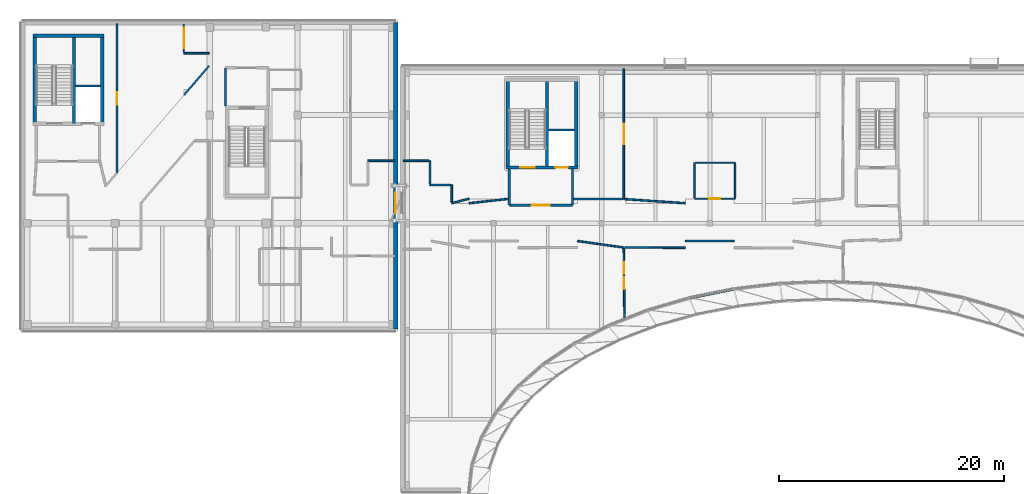
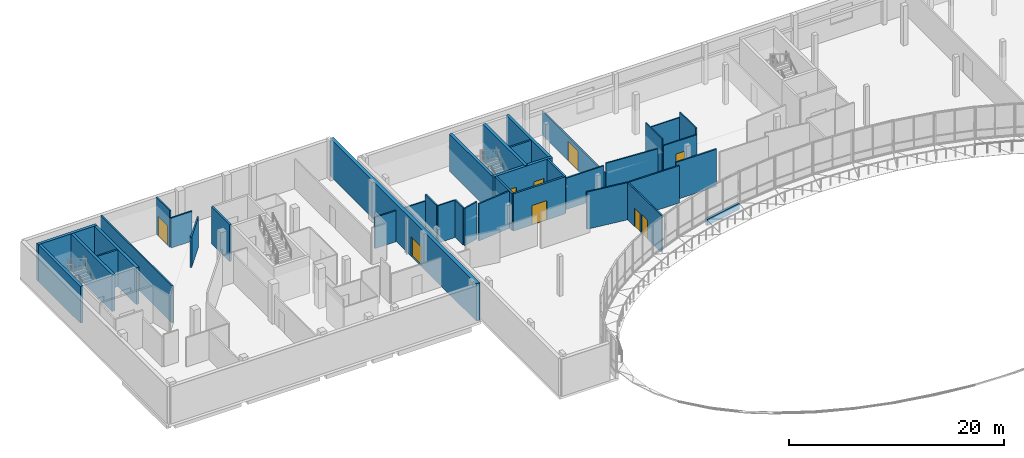
# One storey, part 26 of 41: 38 walls, 10 doors, 10 openings.
"""IFC4 building model written with IfcOpenShell, lengths in metres."""

import ifcopenshell
import ifcopenshell.guid

model = None  # the IFC model being written
_history = None  # IfcOwnerHistory: only IFC2X3 demands one
_inside = {}  # id of a spatial element -> (the spatial element, [elements in it])
_under = {}  # id of a project, library or spatial element -> (it, [spatial elements below it])
_declared = {}  # id of a project -> (the project, [libraries it declares])
_typed = {}  # id of a type object -> (the type object, [elements of that type])
_made_of = {}  # id of a material, layer set ... -> (it, [elements and type objects made of it])


def new_model(schema):
    """Start an empty IFC model of exactly this schema.

    Asked for "IFC4X3", IfcOpenShell would pick the latest addendum, in which some entities
    have other attributes; the version numbers below select the first issue.
    IFC2X3 requires an IfcOwnerHistory on every rooted entity: one is made here for all.
    """
    global model, _history
    if schema == "IFC4X3":
        model = ifcopenshell.file(schema_version=(4, 3, 0, 0))
    else:
        model = ifcopenshell.file(schema=schema)
    _inside.clear()
    _under.clear()
    _declared.clear()
    _typed.clear()
    _made_of.clear()
    _history = None
    if model.schema == "IFC2X3":
        org = make("IfcOrganization", Name="unknown")
        user = make(
            "IfcPersonAndOrganization",
            ThePerson=make("IfcPerson", FamilyName="unknown"),
            TheOrganization=org,
        )
        app = make(
            "IfcApplication",
            ApplicationDeveloper=org,
            Version="unknown",
            ApplicationFullName="unknown",
            ApplicationIdentifier="unknown",
        )
        _history = make(
            "IfcOwnerHistory",
            OwningUser=user,
            OwningApplication=app,
            ChangeAction="ADDED",
            CreationDate=0,
        )
    return model


def make(cls, **values):
    """One entity of the class cls with the attributes given. An attribute that is None is left unset."""
    return model.create_entity(
        cls, **{name: value for name, value in values.items() if value is not None}
    )


def rooted(cls, **values):
    """An entity with a GlobalId (a new one), such as an element, a storey or a relation."""
    return make(cls, GlobalId=ifcopenshell.guid.new(), OwnerHistory=_history, **values)


def si_unit(unit_type, name, prefix=None):
    """IfcSIUnit, for example si_unit("LENGTHUNIT", "METRE", prefix="MILLI")."""
    return make("IfcSIUnit", UnitType=unit_type, Prefix=prefix, Name=name)


def assignment(units):
    """IfcUnitAssignment: the units of a project."""
    return None if units is None else make("IfcUnitAssignment", Units=units)


def point(xyz):
    """IfcCartesianPoint."""
    return None if xyz is None else make("IfcCartesianPoint", Coordinates=xyz)


def direction(xyz):
    """IfcDirection."""
    return None if xyz is None else make("IfcDirection", DirectionRatios=xyz)


def frame(location, z_axis=None, x_axis=None):
    """IfcAxis2Placement3D, a coordinate frame: its origin and axes. An axis left out is left unset."""
    return make(
        "IfcAxis2Placement3D",
        Location=point(location),
        Axis=direction(z_axis),
        RefDirection=direction(x_axis),
    )


def frame_2d(location, x_axis=None):
    """IfcAxis2Placement2D, a coordinate frame in the plane: its origin and x axis."""
    return make(
        "IfcAxis2Placement2D", Location=point(location), RefDirection=direction(x_axis)
    )


def origin():
    """The frame at (0, 0, 0) with its axes left unset."""
    return frame((0.0, 0.0, 0.0))


def place(relative_to, where):
    """IfcLocalPlacement: puts the frame where relative to a parent placement (None: the world)."""
    return make(
        "IfcLocalPlacement", PlacementRelTo=relative_to, RelativePlacement=where
    )


def context(
    kind, dimensions, precision=None, world=None, true_north=None, identifier=None
):
    """IfcGeometricRepresentationContext, for example the 3D "Model" context."""
    return make(
        "IfcGeometricRepresentationContext",
        ContextIdentifier=identifier,
        ContextType=kind,
        CoordinateSpaceDimension=dimensions,
        Precision=precision,
        WorldCoordinateSystem=world,
        TrueNorth=true_north,
    )


def subcontext(parent, identifier, kind, view, scale=None):
    """IfcGeometricRepresentationSubContext, for example "Body" below "Model"."""
    return make(
        "IfcGeometricRepresentationSubContext",
        ContextIdentifier=identifier,
        ContextType=kind,
        ParentContext=parent,
        TargetScale=scale,
        TargetView=view,
    )


def project(units=None, contexts=None):
    """IfcProject with its units and contexts."""
    return rooted(
        "IfcProject",
        Name="project",
        RepresentationContexts=contexts,
        UnitsInContext=assignment(units),
    )


def spatial(cls, under=None, at=None, **own):
    """A site, building, storey or space (cls), placed at a placement, below another one or the project."""
    s = rooted(cls, ObjectPlacement=at, **own)
    if under is not None:
        _under.setdefault(under.id(), (under, []))[1].append(s)
    return s


def profile(cls, at=None, kind="AREA", **sizes):
    """A parametric profile (cls). Its sizes go by their IFC names, for example OverallWidth=200.0."""
    return make(cls, ProfileType=kind, Position=at, **sizes)


def rectangle(**sizes):
    """IfcRectangleProfileDef."""
    return profile("IfcRectangleProfileDef", **sizes)


def extrude(swept, where, along, depth):
    """IfcExtrudedAreaSolid: the profile swept, set in the frame where, extruded along a direction by depth."""
    return make(
        "IfcExtrudedAreaSolid",
        SweptArea=swept,
        Position=where,
        ExtrudedDirection=direction(along),
        Depth=depth,
    )


def shape(context_of_items, identifier, shape_type, items):
    """IfcShapeRepresentation: the items that make up one representation, for example the "Body"."""
    return make(
        "IfcShapeRepresentation",
        ContextOfItems=context_of_items,
        RepresentationIdentifier=identifier,
        RepresentationType=shape_type,
        Items=items,
    )


def material(Name=None, Category=None):
    """IfcMaterial."""
    return make("IfcMaterial", Name=Name, Category=Category)


def layer(
    of_material, thickness, ventilated=None, Name=None, Category=None, Priority=None
):
    """IfcMaterialLayer: one layer of a wall or slab, of a material (None: an air gap)."""
    return make(
        "IfcMaterialLayer",
        Material=of_material,
        LayerThickness=thickness,
        IsVentilated=ventilated,
        Name=Name,
        Category=Category,
        Priority=Priority,
    )


def layer_set(layers, Name=None):
    """IfcMaterialLayerSet."""
    return make("IfcMaterialLayerSet", MaterialLayers=layers, LayerSetName=Name)


def made_of(thing, what):
    """Note that an element or type object is made of a material, layer set ...; save() writes the relation."""
    if what is not None:
        _made_of.setdefault(what.id(), (what, []))[1].append(thing)
    return thing


def type_object(cls, material=None, **own):
    """A type object (cls), such as IfcWallType, which elements share."""
    return made_of(rooted(cls, **own), material)


def element(
    cls,
    number,
    at=None,
    inside=None,
    cuts=None,
    type_object=None,
    material=None,
    context=None,
    identifier="Body",
    shape_type=None,
    held_by="IfcProductDefinitionShape",
    body=None,
    shapes=None,
    **own,
):
    """One element of the class cls, such as IfcWall. Its Tag is "e" and its number.

    at: its placement. inside: the storey or other place that contains it. cuts: it is an
    opening in that element (IfcRelVoidsElement). A single representation is given by context,
    identifier, shape_type and body (its items); several are given by shapes. held_by: the class
    of the entity that holds the representations. save() writes the other relations.
    """
    e = rooted(cls, Tag="e%d" % number, ObjectPlacement=at, **own)
    if body is not None:
        shapes = [shape(context, identifier, shape_type, body)]
    if shapes is not None:
        e.Representation = make(held_by, Representations=shapes)
    if inside is not None:
        _inside.setdefault(inside.id(), (inside, []))[1].append(e)
    if cuts is not None:
        rooted(
            "IfcRelVoidsElement", RelatingBuildingElement=cuts, RelatedOpeningElement=e
        )
    if type_object is not None:
        _typed.setdefault(type_object.id(), (type_object, []))[1].append(e)
    return made_of(e, material)


def fill(opening, filler):
    """IfcRelFillsElement: the door or window that sits in an opening."""
    return rooted(
        "IfcRelFillsElement",
        RelatingOpeningElement=opening,
        RelatedBuildingElement=filler,
    )


def aggregate(whole, parts):
    """IfcRelAggregates: a whole, such as a stair, and the parts it consists of."""
    return rooted("IfcRelAggregates", RelatingObject=whole, RelatedObjects=parts)


def save(model, path):
    """Write the relations noted so far, then the file.

    IfcRelAggregates (storeys below a building ...), IfcRelContainedInSpatialStructure (elements
    in a storey), IfcRelDefinesByType, IfcRelAssociatesMaterial and IfcRelDeclares: one each for
    every whole, place, type object, material and project.
    """
    for whole, parts in _under.values():
        aggregate(whole, parts)
    for where, things in _inside.values():
        rooted(
            "IfcRelContainedInSpatialStructure",
            RelatedElements=things,
            RelatingStructure=where,
        )
    for kind, things in _typed.values():
        rooted("IfcRelDefinesByType", RelatedObjects=things, RelatingType=kind)
    for what, things in _made_of.values():
        rooted("IfcRelAssociatesMaterial", RelatedObjects=things, RelatingMaterial=what)
    for by, libraries in _declared.values():
        rooted("IfcRelDeclares", RelatingContext=by, RelatedDefinitions=libraries)
    model.write(path)


model = new_model("IFC4")

# Units and contexts
model_context = context("Model", 3, precision=1e-05, world=origin(), true_north=direction((0.0, 1.0)))
body_context = subcontext(model_context, "Body", "Model", "MODEL_VIEW")
ifc_project = project(units=[si_unit("LENGTHUNIT", "METRE"), si_unit("AREAUNIT", "SQUARE_METRE"), si_unit("VOLUMEUNIT", "CUBIC_METRE"), si_unit("PLANEANGLEUNIT", "RADIAN"), si_unit("MASSUNIT", "GRAM", prefix="KILO")], contexts=[model_context])

# Site, building, storey
site_placement = place(None, origin())
site = spatial("IfcSite", under=ifc_project, at=site_placement, CompositionType="ELEMENT")
building_placement = place(site_placement, origin())
building = spatial("IfcBuilding", under=site, at=building_placement, Name="Mzevani Central Library", CompositionType="ELEMENT")
storey_placement = place(building_placement, frame((0.0, 0.0, 13.800048828125)))
storey = spatial("IfcBuildingStorey", under=building, at=storey_placement, Name="L03", CompositionType="ELEMENT", Elevation=13.800048828125)

# Walls
ifc_material_1 = material(Name="Concrete C35/45", Category="concrete")
ifc_layer_1 = layer(ifc_material_1, 0.199951171875, Name="Compartment Wall 200")
ifc_layer_set_1 = layer_set([ifc_layer_1], Name="Concrete C35/45")
wall_type_1 = type_object("IfcWallType", Name="Compartment Wall 200", PredefinedType="STANDARD", material=ifc_layer_set_1)
wall_1_placement = place(storey_placement, frame((30.60009765625, 110.39990234375, 0.0), z_axis=(0.0, 0.0, 1.0), x_axis=(0.0, 1.0, 0.0)))
element("IfcWall", 1, at=wall_1_placement, inside=storey, type_object=wall_type_1, Name="L03 Stair Vestibule C2B Enclosure Wall 1", PredefinedType="STANDARD", context=body_context, shape_type="SweptSolid", body=[
    extrude(rectangle(XDim=3.400146484375, YDim=0.199951171875, at=frame_2d((1.7001953125, 0.0))), origin(), (0.0, 0.0, 1.0), 4.179931640625),
])
wall_2_placement = place(storey_placement, frame((55.800048828125, 104.800048828125, 0.0), z_axis=(0.0, 0.0, 1.0), x_axis=(0.0, -1.0, 0.0)))
element("IfcWall", 2, at=wall_2_placement, inside=storey, type_object=wall_type_1, Name="L03 Firefighting Stair and Lift Lobby C3A Enclosure Wall 1", PredefinedType="STANDARD", context=body_context, shape_type="SweptSolid", body=[
    extrude(rectangle(XDim=3.199951171875, YDim=0.199951171875, at=frame_2d((1.60009765625, 0.0))), origin(), (0.0, 0.0, 1.0), 4.219970703125),
])

# Wall, opening, door
wall_3_placement = place(storey_placement, frame((55.800048828125, 101.60009765625, 0.0), z_axis=(0.0, 0.0, 1.0), x_axis=(1.0, 0.0, 0.0)))
wall_3 = element("IfcWall", 3, at=wall_3_placement, inside=storey, type_object=wall_type_1, Name="L03 Firefighting Stair and Lift Lobby C3A Enclosure Wall 2", PredefinedType="STANDARD", context=body_context, shape_type="SweptSolid", body=[
    extrude(rectangle(XDim=5.599853515625, YDim=0.199951171875, at=frame_2d((2.7998046875, 0.0))), origin(), (0.0, 0.0, 1.0), 4.219970703125),
])
opening_1_placement = place(wall_3_placement, frame((2.0, 0.0, 0.0)))
opening_1 = element("IfcOpeningElement", 4, at=opening_1_placement, cuts=wall_3, Name="Opening FD-02", PredefinedType="OPENING", context=body_context, shape_type="SweptSolid", body=[
    extrude(rectangle(XDim=1.60009765625, YDim=2.199951171875, at=frame_2d((0.800048828125, 1.10009765625))), frame((0.0, 0.10986328125, 0.0), z_axis=(0.0, -1.0, 0.0), x_axis=(1.0, 0.0, 0.0)), (0.0, 0.0, 1.0), 0.219970703125),
])
ifc_material_2 = material(Name="Fire-rated steel door assembly", Category="steel")
door_type_1 = type_object("IfcDoorType", Name="Fire Lobby Double Door 1600x2200", OperationType="NOTDEFINED", PredefinedType="DOOR", material=ifc_material_2)
door_1_placement = place(opening_1_placement, origin())
door_1 = element("IfcDoor", 5, at=door_1_placement, inside=storey, type_object=door_type_1, Name="L03 Firefighting Stair and Lift Lobby C3A Smoke-Control Door", OperationType="DOUBLE_DOOR_SINGLE_SWING", OverallHeight=2.199951171875, OverallWidth=1.60009765625, PredefinedType="DOOR", context=body_context, shape_type="SweptSolid", body=[
    extrude(rectangle(XDim=1.60009765625, YDim=2.199951171875, at=frame_2d((0.800048828125, 1.10009765625))), frame((0.0, 0.02490234375, 0.0), z_axis=(0.0, -1.0, 0.0), x_axis=(1.0, 0.0, 0.0)), (0.0, 0.0, 1.0), 0.050048828125),
])
fill(opening_1, door_1)

# Walls
wall_4_placement = place(storey_placement, frame((61.39990234375, 101.60009765625, 0.0), z_axis=(0.0, 0.0, 1.0), x_axis=(0.0, 1.0, 0.0)))
element("IfcWall", 6, at=wall_4_placement, inside=storey, type_object=wall_type_1, Name="L03 Firefighting Stair and Lift Lobby C3A Enclosure Wall 3", PredefinedType="STANDARD", context=body_context, shape_type="SweptSolid", body=[
    extrude(rectangle(XDim=3.199951171875, YDim=0.199951171875, at=frame_2d((1.60009765625, 0.0))), origin(), (0.0, 0.0, 1.0), 4.219970703125),
])
ifc_material_3 = material(Name="Concrete C40/50", Category="concrete")
ifc_layer_2 = layer(ifc_material_3, 0.300048828125, Name="Core Shear Wall 300")
ifc_layer_set_2 = layer_set([ifc_layer_2], Name="Concrete C40/50")
wall_type_2 = type_object("IfcWallType", Name="Core Shear Wall 300", PredefinedType="SHEAR", material=ifc_layer_set_2)
wall_5_placement = place(storey_placement, frame((13.64990234375, 108.699951171875, 0.0), z_axis=(0.0, 0.0, 1.0), x_axis=(0.0, 1.0, 0.0)))
element("IfcWall", 7, at=wall_5_placement, inside=storey, type_object=wall_type_2, Name="L03 Core C2A North-West Firefighting Core Shear Wall (-x)", PredefinedType="SHEAR", context=body_context, shape_type="SweptSolid", body=[
    extrude(rectangle(XDim=8.10009765625, YDim=0.300048828125, at=frame_2d((4.050048828125, 0.0))), origin(), (0.0, 0.0, 1.0), 4.179931640625),
])
wall_6_placement = place(storey_placement, frame((13.5, 116.64990234375, 0.0), z_axis=(0.0, 0.0, 1.0), x_axis=(1.0, 0.0, 0.0)))
element("IfcWall", 8, at=wall_6_placement, inside=storey, type_object=wall_type_2, Name="L03 Core C2A North-West Firefighting Core Shear Wall (+y)", PredefinedType="SHEAR", context=body_context, shape_type="SweptSolid", body=[
    extrude(rectangle(XDim=6.300048828125, YDim=0.300048828125, at=frame_2d((3.14990234375, 0.0))), origin(), (0.0, 0.0, 1.0), 4.179931640625),
])
wall_7_placement = place(storey_placement, frame((19.64990234375, 116.800048828125, 0.0), z_axis=(0.0, 0.0, 1.0), x_axis=(0.0, -1.0, 0.0)))
element("IfcWall", 9, at=wall_7_placement, inside=storey, type_object=wall_type_2, Name="L03 Core C2A North-West Firefighting Core Shear Wall (+x)", PredefinedType="SHEAR", context=body_context, shape_type="SweptSolid", body=[
    extrude(rectangle(XDim=8.10009765625, YDim=0.300048828125, at=frame_2d((4.050048828125, 0.0))), origin(), (0.0, 0.0, 1.0), 4.179931640625),
])
wall_8_placement = place(storey_placement, frame((17.14990234375, 108.85009765625, 0.0), z_axis=(0.0, 0.0, 1.0), x_axis=(0.0, 1.0, 0.0)))
element("IfcWall", 10, at=wall_8_placement, inside=storey, type_object=wall_type_2, Name="L03 Core C2A North-West Firefighting Core Hoistway Shear Wall", PredefinedType="SHEAR", context=body_context, shape_type="SweptSolid", body=[
    extrude(rectangle(XDim=7.7998046875, YDim=0.300048828125, at=frame_2d((3.89990234375, 0.0))), origin(), (0.0, 0.0, 1.0), 4.179931640625),
])

# Wall, openings, doors
wall_9_placement = place(storey_placement, frame((61.89990234375, 104.949951171875, 0.0), z_axis=(0.0, 0.0, 1.0), x_axis=(-1.0, 0.0, 0.0)))
wall_9 = element("IfcWall", 11, at=wall_9_placement, inside=storey, type_object=wall_type_2, Name="L03 Core C3A North-East Firefighting Core Shear Wall (-y)", PredefinedType="SHEAR", context=body_context, shape_type="SweptSolid", body=[
    extrude(rectangle(XDim=6.39990234375, YDim=0.300048828125, at=frame_2d((3.199951171875, 0.0))), origin(), (0.0, 0.0, 1.0), 4.219970703125),
])
opening_2_placement = place(wall_9_placement, frame((3.85009765625, 0.0, 0.0)))
opening_2 = element("IfcOpeningElement", 12, at=opening_2_placement, cuts=wall_9, Name="Opening FD-01", PredefinedType="OPENING", context=body_context, shape_type="SweptSolid", body=[
    extrude(rectangle(XDim=1.300048828125, YDim=2.199951171875, at=frame_2d((0.64990234375, 1.10009765625))), frame((0.0, 0.16015625, 0.0), z_axis=(0.0, -1.0, 0.0), x_axis=(1.0, 0.0, 0.0)), (0.0, 0.0, 1.0), 0.320068359375),
])
opening_3_placement = place(wall_9_placement, frame((0.89990234375, 0.0, 0.0)))
opening_3 = element("IfcOpeningElement", 13, at=opening_3_placement, cuts=wall_9, Name="Opening LD-02", PredefinedType="OPENING", context=body_context, shape_type="SweptSolid", body=[
    extrude(rectangle(XDim=1.10009765625, YDim=2.14990234375, at=frame_2d((0.550048828125, 1.074951171875))), frame((0.0, 0.16015625, 0.0), z_axis=(0.0, -1.0, 0.0), x_axis=(1.0, 0.0, 0.0)), (0.0, 0.0, 1.0), 0.320068359375),
])
door_type_2 = type_object("IfcDoorType", Name="Fire Stair Door 1300x2200", OperationType="NOTDEFINED", PredefinedType="DOOR", material=ifc_material_2)
door_2_placement = place(opening_2_placement, origin())
door_2 = element("IfcDoor", 14, at=door_2_placement, inside=storey, type_object=door_type_2, Name="L03 ST-05 Protected Exit Stair Door", OperationType="SINGLE_SWING_RIGHT", OverallHeight=2.199951171875, OverallWidth=1.300048828125, PredefinedType="DOOR", context=body_context, shape_type="SweptSolid", body=[
    extrude(rectangle(XDim=1.300048828125, YDim=2.199951171875, at=frame_2d((0.64990234375, 1.10009765625))), frame((0.0, 0.02490234375, 0.0), z_axis=(0.0, -1.0, 0.0), x_axis=(1.0, 0.0, 0.0)), (0.0, 0.0, 1.0), 0.050048828125),
])
fill(opening_2, door_2)
ifc_material_4 = material(Name="Brushed stainless steel door", Category="steel")
door_type_3 = type_object("IfcDoorType", Name="Firefighting Lift Landing Door 1100x2150", OperationType="NOTDEFINED", PredefinedType="DOOR", material=ifc_material_4)
door_3_placement = place(opening_3_placement, origin())
door_3 = element("IfcDoor", 15, at=door_3_placement, inside=storey, type_object=door_type_3, Name="L03 Lift LF-FF2 Sliding Landing Door", OperationType="SLIDING_TO_LEFT", OverallHeight=2.14990234375, OverallWidth=1.10009765625, PredefinedType="DOOR", context=body_context, shape_type="SweptSolid", body=[
    extrude(rectangle(XDim=1.10009765625, YDim=2.14990234375, at=frame_2d((0.550048828125, 1.074951171875))), frame((0.0, 0.02490234375, 0.0), z_axis=(0.0, -1.0, 0.0), x_axis=(1.0, 0.0, 0.0)), (0.0, 0.0, 1.0), 0.050048828125),
])
fill(opening_3, door_3)

# Walls
for number, where, z_axis, x_axis, name in (
    (16, (55.64990234375, 104.800048828125, 0.0), (0.0, 0.0, 1.0), (0.0, 1.0, 0.0), "L03 Core C3A North-East Firefighting Core Shear Wall (-x)"),
    (17, (61.75, 112.89990234375, 0.0), (0.0, 0.0, 1.0), (0.0, -1.0, 0.0), "L03 Core C3A North-East Firefighting Core Shear Wall (+x)"),
):
    element("IfcWall", number, at=place(storey_placement, frame(where, z_axis=z_axis, x_axis=x_axis)), inside=storey, type_object=wall_type_2, Name=name, PredefinedType="SHEAR", context=body_context, shape_type="SweptSolid", body=[
        extrude(rectangle(XDim=8.099853515625, YDim=0.300048828125, at=frame_2d((4.0498046875, 0.0))), origin(), (0.0, 0.0, 1.0), 4.219970703125),
    ])
wall_10_placement = place(storey_placement, frame((59.14990234375, 104.949951171875, 0.0), z_axis=(0.0, 0.0, 1.0), x_axis=(0.0, 1.0, 0.0)))
element("IfcWall", 18, at=wall_10_placement, inside=storey, type_object=wall_type_2, Name="L03 Core C3A North-East Firefighting Core Hoistway Shear Wall", PredefinedType="SHEAR", context=body_context, shape_type="SweptSolid", body=[
    extrude(rectangle(XDim=7.800048828125, YDim=0.300048828125, at=frame_2d((3.89990234375, 0.0))), origin(), (0.0, 0.0, 1.0), 4.219970703125),
])
ifc_material_5 = material(Name="Precast concrete C40/50", Category="concrete")
ifc_layer_3 = layer(ifc_material_5, 0.280029296875, Name="Court Spandrel Wall 280")
ifc_layer_set_3 = layer_set([ifc_layer_3], Name="Precast concrete C40/50")
wall_type_3 = type_object("IfcWallType", Name="Court Spandrel Wall 280", PredefinedType="STANDARD", material=ifc_layer_set_3)
wall_11_placement = place(storey_placement, frame((75.71142578125, 94.168701171875, 0.0), z_axis=(0.0, 0.0, 1.0), x_axis=(-0.980585380352, -0.196092610367, 0.0)))
element("IfcWall", 19, at=wall_11_placement, inside=storey, type_object=wall_type_3, Name="L03 Elliptical Court Spandrel 15", PredefinedType="STANDARD", context=body_context, shape_type="SweptSolid", body=[
    extrude(rectangle(XDim=3.991455078125, YDim=0.280029296875, at=frame_2d((1.99560546875, 0.0))), origin(), (0.0, 0.0, 1.0), 0.719970703125),
])

# Wall, opening, door
ifc_layer_4 = layer(ifc_material_5, 0.3798828125, Name="Exterior Thermal Concrete Wall 380")
ifc_layer_set_4 = layer_set([ifc_layer_4], Name="Precast concrete C40/50")
wall_type_4 = type_object("IfcWallType", Name="Exterior Thermal Concrete Wall 380", PredefinedType="STANDARD", material=ifc_layer_set_4)
wall_12_placement = place(storey_placement, frame((45.7099609375, 117.81005859375, 0.0), z_axis=(0.0, 0.0, 1.0), x_axis=(0.0, -1.0, 0.0)))
wall_12 = element("IfcWall", 20, at=wall_12_placement, inside=storey, type_object=wall_type_4, Name="L03 V2 Exterior Thermal Wall (31)", PredefinedType="STANDARD", context=body_context, shape_type="SweptSolid", body=[
    extrude(rectangle(XDim=27.219970703125, YDim=0.3798828125, at=frame_2d((13.60986328125, 0.0))), origin(), (0.0, 0.0, 1.0), 4.239990234375),
])
opening_4_placement = place(wall_12_placement, frame((15.110107421875, 0.0, 0.0)))
opening_4 = element("IfcOpeningElement", 21, at=opening_4_placement, cuts=wall_12, Name="Opening FD-06", PredefinedType="OPENING", context=body_context, shape_type="SweptSolid", body=[
    extrude(rectangle(XDim=1.800048828125, YDim=2.199951171875, at=frame_2d((0.89990234375, 1.10009765625))), frame((0.0, 0.199951171875, 0.0), z_axis=(0.0, -1.0, 0.0), x_axis=(1.0, 0.0, 0.0)), (0.0, 0.0, 1.0), 0.39990234375),
])
door_type_4 = type_object("IfcDoorType", Name="Fire Corridor Double Door 1800x2200", OperationType="NOTDEFINED", PredefinedType="DOOR", material=ifc_material_2)
door_4_placement = place(opening_4_placement, origin())
door_4 = element("IfcDoor", 22, at=door_4_placement, inside=storey, type_object=door_type_4, Name="L03 Stacks-Court Seismic Passage L03 Fire Portal Door (V2)", OperationType="DOUBLE_DOOR_SINGLE_SWING", OverallHeight=2.199951171875, OverallWidth=1.800048828125, PredefinedType="DOOR", context=body_context, shape_type="SweptSolid", body=[
    extrude(rectangle(XDim=1.800048828125, YDim=2.199951171875, at=frame_2d((0.89990234375, 1.10009765625))), frame((0.0, 0.02490234375, 0.0), z_axis=(0.0, -1.0, 0.0), x_axis=(1.0, 0.0, 0.0)), (0.0, 0.0, 1.0), 0.050048828125),
])
fill(opening_4, door_4)

ifc_material_6 = material(Name="Fire-rated gypsum board", Category="gypsum")
ifc_layer_5 = layer(ifc_material_6, 0.1201171875, Name="Partition Acoustic 120")
ifc_layer_set_5 = layer_set([ifc_layer_5], Name="Fire-rated gypsum board")
wall_type_5 = type_object("IfcWallType", Name="Partition Acoustic 120", PredefinedType="PARTITIONING", material=ifc_layer_set_5)
wall_13_placement = place(storey_placement, frame((75.85009765625, 102.175048828125, 0.0), z_axis=(0.0, 0.0, 1.0), x_axis=(-1.0, 0.0, 0.0)))
wall_13 = element("IfcWall", 23, at=wall_13_placement, inside=storey, type_object=wall_type_5, Name="L03 V3 Partition IW-02 (513)", PredefinedType="PARTITIONING", context=body_context, shape_type="SweptSolid", body=[
    extrude(rectangle(XDim=3.60009765625, YDim=0.1201171875, at=frame_2d((1.800048828125, 0.0))), origin(), (0.0, 0.0, 1.0), 3.550048828125),
])
opening_5_placement = place(wall_13_placement, frame((1.324951171875, 0.0, 0.0)))
opening_5 = element("IfcOpeningElement", 24, at=opening_5_placement, cuts=wall_13, Name="Opening ID-02", PredefinedType="OPENING", context=body_context, shape_type="SweptSolid", body=[
    extrude(rectangle(XDim=0.949951171875, YDim=2.14990234375, at=frame_2d((0.47509765625, 1.074951171875))), frame((0.0, 0.070068359375, 0.0), z_axis=(0.0, -1.0, 0.0), x_axis=(1.0, 0.0, 0.0)), (0.0, 0.0, 1.0), 0.14013671875),
])
ifc_material_7 = material(Name="Fire-rated solid oak leaf")
door_type_5 = type_object("IfcDoorType", Name="Accessible WC Door 950x2150", OperationType="NOTDEFINED", PredefinedType="DOOR", material=ifc_material_7)
door_5_placement = place(opening_5_placement, origin())
door_5 = element("IfcDoor", 25, at=door_5_placement, inside=storey, type_object=door_type_5, Name="L03 Accessible WC and Public Toilet V3 Door", OperationType="SINGLE_SWING_LEFT", OverallHeight=2.14990234375, OverallWidth=0.949951171875, PredefinedType="DOOR", context=body_context, shape_type="SweptSolid", body=[
    extrude(rectangle(XDim=0.949951171875, YDim=2.14990234375, at=frame_2d((0.47509765625, 1.074951171875))), frame((0.0, 0.02490234375, 0.0), z_axis=(0.0, -1.0, 0.0), x_axis=(1.0, 0.0, 0.0)), (0.0, 0.0, 1.0), 0.050048828125),
])
fill(opening_5, door_5)

# Walls
wall_14_placement = place(storey_placement, frame((72.25, 102.27490234375, 0.0), z_axis=(0.0, 0.0, 1.0), x_axis=(0.0, 1.0, 0.0)))
element("IfcWall", 26, at=wall_14_placement, inside=storey, type_object=wall_type_5, Name="L03 V3 Partition IW-02 (514)", PredefinedType="PARTITIONING", context=body_context, shape_type="SweptSolid", body=[
    extrude(rectangle(XDim=3.10009765625, YDim=0.1201171875, at=frame_2d((1.550048828125, 0.0))), origin(), (0.0, 0.0, 1.0), 4.219970703125),
])
wall_15_placement = place(storey_placement, frame((72.35009765625, 105.375, 0.0), z_axis=(0.0, 0.0, 1.0), x_axis=(1.0, 0.0, 0.0)))
element("IfcWall", 27, at=wall_15_placement, inside=storey, type_object=wall_type_5, Name="L03 V3 Partition IW-02 (515)", PredefinedType="PARTITIONING", context=body_context, shape_type="SweptSolid", body=[
    extrude(rectangle(XDim=3.5, YDim=0.1201171875, at=frame_2d((1.75, 0.0))), origin(), (0.0, 0.0, 1.0), 3.550048828125),
])
wall_16_placement = place(storey_placement, frame((75.85009765625, 105.27490234375, 0.0), z_axis=(0.0, 0.0, 1.0), x_axis=(0.0, -1.0, 0.0)))
element("IfcWall", 28, at=wall_16_placement, inside=storey, type_object=wall_type_5, Name="L03 V3 Partition IW-02 (516)", PredefinedType="PARTITIONING", context=body_context, shape_type="SweptSolid", body=[
    extrude(rectangle(XDim=3.0, YDim=0.1201171875, at=frame_2d((1.5, 0.0))), origin(), (0.0, 0.0, 1.0), 4.219970703125),
])

# Wall, opening, door
ifc_layer_6 = layer(ifc_material_6, 0.14990234375, Name="Partition Study 150")
ifc_layer_set_6 = layer_set([ifc_layer_6], Name="Fire-rated gypsum board")
wall_type_6 = type_object("IfcWallType", Name="Partition Study 150", PredefinedType="PARTITIONING", material=ifc_layer_set_6)
wall_17_placement = place(storey_placement, frame((20.965087890625, 117.7099609375, 0.0), z_axis=(0.0, 0.0, 1.0), x_axis=(0.0, -1.0, 0.0)))
wall_17 = element("IfcWall", 29, at=wall_17_placement, inside=storey, type_object=wall_type_6, Name="L03 V2 Partition IW-03 (488)", PredefinedType="PARTITIONING", context=body_context, shape_type="SweptSolid", body=[
    extrude(rectangle(XDim=13.2353515625, YDim=0.14990234375, at=frame_2d((6.61767578125, 0.0))), origin(), (0.0, 0.0, 1.0), 4.179931640625),
])
opening_6_placement = place(wall_17_placement, frame((6.067626953125, 0.0, 0.0)))
opening_6 = element("IfcOpeningElement", 30, at=opening_6_placement, cuts=wall_17, Name="Opening FD-04", PredefinedType="OPENING", context=body_context, shape_type="SweptSolid", body=[
    extrude(rectangle(XDim=1.10009765625, YDim=2.14990234375, at=frame_2d((0.550048828125, 1.074951171875))), frame((0.0, 0.0849609375, 0.0), z_axis=(0.0, -1.0, 0.0), x_axis=(1.0, 0.0, 0.0)), (0.0, 0.0, 1.0), 0.169921875),
])
door_type_6 = type_object("IfcDoorType", Name="Fire Compartment Door 1100x2150", OperationType="NOTDEFINED", PredefinedType="DOOR", material=ifc_material_2)
door_6_placement = place(opening_6_placement, origin())
door_6 = element("IfcDoor", 31, at=door_6_placement, inside=storey, type_object=door_type_6, Name="L03 Mobile Compact Shelving Hall L03 West Door", OperationType="SINGLE_SWING_RIGHT", OverallHeight=2.14990234375, OverallWidth=1.10009765625, PredefinedType="DOOR", context=body_context, shape_type="SweptSolid", body=[
    extrude(rectangle(XDim=1.10009765625, YDim=2.14990234375, at=frame_2d((0.550048828125, 1.074951171875))), frame((0.0, 0.02490234375, 0.0), z_axis=(0.0, -1.0, 0.0), x_axis=(1.0, 0.0, 0.0)), (0.0, 0.0, 1.0), 0.050048828125),
])
fill(opening_6, door_6)

# Walls
wall_18_placement = place(storey_placement, frame((26.89990234375, 115.10009765625, 0.0), z_axis=(0.0, 0.0, 1.0), x_axis=(1.0, 0.0, 0.0)))
element("IfcWall", 32, at=wall_18_placement, inside=storey, type_object=wall_type_6, Name="L03 V2 Partition IW-03 (495)", PredefinedType="PARTITIONING", context=body_context, shape_type="SweptSolid", body=[
    extrude(rectangle(XDim=2.25, YDim=0.14990234375, at=frame_2d((1.125, 0.0))), origin(), (0.0, 0.0, 1.0), 3.409912109375),
])
wall_19_placement = place(storey_placement, frame((29.14990234375, 113.9833984375, 0.0), z_axis=(0.0, 0.0, 1.0), x_axis=(-0.652340430993, -0.757926092764, 0.0)))
element("IfcWall", 33, at=wall_19_placement, inside=storey, type_object=wall_type_6, Name="L03 V2 Partition IW-03 (496)", PredefinedType="PARTITIONING", context=body_context, shape_type="SweptSolid", body=[
    extrude(rectangle(XDim=3.41064453125, YDim=0.14990234375, at=frame_2d((1.705322265625, 0.0))), origin(), (0.0, 0.0, 1.0), 3.409912109375),
])

# Wall, opening, door
wall_20_placement = place(storey_placement, frame((26.89990234375, 117.7099609375, 0.0), z_axis=(0.0, 0.0, 1.0), x_axis=(0.0, -1.0, 0.0)))
wall_20 = element("IfcWall", 34, at=wall_20_placement, inside=storey, type_object=wall_type_6, Name="L03 V2 Partition IW-03 (497)", PredefinedType="PARTITIONING", context=body_context, shape_type="SweptSolid", body=[
    extrude(rectangle(XDim=2.510009765625, YDim=0.14990234375, at=frame_2d((1.2548828125, 0.0))), origin(), (0.0, 0.0, 1.0), 4.179931640625),
])
opening_7_placement = place(wall_20_placement, frame((0.35498046875, 0.0, 0.0)))
opening_7 = element("IfcOpeningElement", 35, at=opening_7_placement, cuts=wall_20, Name="Opening FD-06", PredefinedType="OPENING", context=body_context, shape_type="SweptSolid", body=[
    extrude(rectangle(XDim=1.800048828125, YDim=2.199951171875, at=frame_2d((0.89990234375, 1.10009765625))), frame((0.0, 0.0849609375, 0.0), z_axis=(0.0, -1.0, 0.0), x_axis=(1.0, 0.0, 0.0)), (0.0, 0.0, 1.0), 0.169921875),
])
door_7_placement = place(opening_7_placement, origin())
door_7 = element("IfcDoor", 36, at=door_7_placement, inside=storey, type_object=door_type_4, Name="L03 Oriental and Caucasian Manuscripts Study Door", OperationType="DOUBLE_DOOR_SINGLE_SWING", OverallHeight=2.199951171875, OverallWidth=1.800048828125, PredefinedType="DOOR", context=body_context, shape_type="SweptSolid", body=[
    extrude(rectangle(XDim=1.800048828125, YDim=2.199951171875, at=frame_2d((0.89990234375, 1.10009765625))), frame((0.0, 0.02490234375, 0.0), z_axis=(0.0, -1.0, 0.0), x_axis=(1.0, 0.0, 0.0)), (0.0, 0.0, 1.0), 0.050048828125),
])
fill(opening_7, door_7)

# Walls
wall_21_placement = place(storey_placement, frame((45.610107421875, 105.550048828125, 0.0), z_axis=(0.0, 0.0, 1.0), x_axis=(-1.0, 0.0, 0.0)))
element("IfcWall", 37, at=wall_21_placement, inside=storey, type_object=wall_type_6, Name="L03 V2 Partition IW-03 (509)", PredefinedType="PARTITIONING", context=body_context, shape_type="SweptSolid", body=[
    extrude(rectangle(XDim=2.360107421875, YDim=0.14990234375, at=frame_2d((1.18017578125, 0.0))), origin(), (0.0, 0.0, 1.0), 3.52001953125),
])
wall_22_placement = place(storey_placement, frame((61.85009765625, 98.419921875, 0.0), z_axis=(0.0, 0.0, 1.0), x_axis=(0.990548024181, -0.137166365378, 0.0)))
element("IfcWall", 38, at=wall_22_placement, inside=storey, type_object=wall_type_6, Name="L03 V3 Partition IW-03 (521)", PredefinedType="PARTITIONING", context=body_context, shape_type="SweptSolid", body=[
    extrude(rectangle(XDim=4.154296875, YDim=0.14990234375, at=frame_2d((2.0771484375, 0.0))), origin(), (0.0, 0.0, 1.0), 4.219970703125),
])

# Wall, openings, doors
wall_23_placement = place(storey_placement, frame((65.9658203125, 97.75, 0.0), z_axis=(0.0, 0.0, 1.0), x_axis=(0.009247104223, -0.999957244618, 0.0)))
wall_23 = element("IfcWall", 39, at=wall_23_placement, inside=storey, type_object=wall_type_6, Name="L03 V3 Partition IW-03 (522)", PredefinedType="PARTITIONING", context=body_context, shape_type="SweptSolid", body=[
    extrude(rectangle(XDim=6.151611328125, YDim=0.14990234375, at=frame_2d((3.07568359375, 0.0))), origin(), (0.0, 0.0, 1.0), 4.219970703125),
])
opening_8_placement = place(wall_23_placement, frame((2.52587890625, 0.0, 0.0)))
opening_8 = element("IfcOpeningElement", 40, at=opening_8_placement, cuts=wall_23, Name="Opening FD-04", PredefinedType="OPENING", context=body_context, shape_type="SweptSolid", body=[
    extrude(rectangle(XDim=1.10009765625, YDim=2.14990234375, at=frame_2d((0.550048828125, 1.074951171875))), frame((0.0, 0.0849609375, 0.0), z_axis=(0.0, -1.0, 0.0), x_axis=(1.0, 0.0, 0.0)), (0.0, 0.0, 1.0), 0.169921875),
])
opening_9_placement = place(wall_23_placement, frame((1.225830078125, 0.0, 0.0)))
opening_9 = element("IfcOpeningElement", 41, at=opening_9_placement, cuts=wall_23, Name="Opening ID-03", PredefinedType="OPENING", context=body_context, shape_type="SweptSolid", body=[
    extrude(rectangle(XDim=1.0, YDim=2.10009765625, at=frame_2d((0.5, 1.050048828125))), frame((0.0, 0.0849609375, 0.0), z_axis=(0.0, -1.0, 0.0), x_axis=(1.0, 0.0, 0.0)), (0.0, 0.0, 1.0), 0.169921875),
])
door_8_placement = place(opening_8_placement, origin())
door_8 = element("IfcDoor", 42, at=door_8_placement, inside=storey, type_object=door_type_6, Name="L03 Social Sciences and Law Open Stacks Door", OperationType="SINGLE_SWING_RIGHT", OverallHeight=2.14990234375, OverallWidth=1.10009765625, PredefinedType="DOOR", context=body_context, shape_type="SweptSolid", body=[
    extrude(rectangle(XDim=1.10009765625, YDim=2.14990234375, at=frame_2d((0.550048828125, 1.074951171875))), frame((0.0, 0.02490234375, 0.0), z_axis=(0.0, -1.0, 0.0), x_axis=(1.0, 0.0, 0.0)), (0.0, 0.0, 1.0), 0.050048828125),
])
fill(opening_8, door_8)
door_type_7 = type_object("IfcDoorType", Name="Quiet Study Carrel Door 1000x2100", OperationType="NOTDEFINED", PredefinedType="DOOR", material=ifc_material_7)
door_9_placement = place(opening_9_placement, origin())
door_9 = element("IfcDoor", 43, at=door_9_placement, inside=storey, type_object=door_type_7, Name="L03 Silent Doctoral Carrels Door", OperationType="SINGLE_SWING_RIGHT", OverallHeight=2.10009765625, OverallWidth=1.0, PredefinedType="DOOR", context=body_context, shape_type="SweptSolid", body=[
    extrude(rectangle(XDim=1.0, YDim=2.10009765625, at=frame_2d((0.5, 1.050048828125))), frame((0.0, 0.02490234375, 0.0), z_axis=(0.0, -1.0, 0.0), x_axis=(1.0, 0.0, 0.0)), (0.0, 0.0, 1.0), 0.050048828125),
])
fill(opening_9, door_9)

# Walls
wall_24_placement = place(storey_placement, frame((55.70068359375, 102.1640625, 0.0), z_axis=(0.0, 0.0, 1.0), x_axis=(-0.993950815456, -0.109826119185, 0.0)))
element("IfcWall", 44, at=wall_24_placement, inside=storey, type_object=wall_type_6, Name="L03 V3 Partition IW-03 (523)", PredefinedType="PARTITIONING", context=body_context, shape_type="SweptSolid", body=[
    extrude(rectangle(XDim=3.496826171875, YDim=0.14990234375, at=frame_2d((1.74853515625, 0.0))), origin(), (0.0, 0.0, 1.0), 4.219970703125),
])
wall_25_placement = place(storey_placement, frame((52.22509765625, 102.175048828125, 0.0), z_axis=(0.0, 0.0, 1.0), x_axis=(-0.968841156988, -0.247682887029, 0.0)))
element("IfcWall", 45, at=wall_25_placement, inside=storey, type_object=wall_type_6, Name="L03 V3 Partition IW-03 (524)", PredefinedType="PARTITIONING", context=body_context, shape_type="SweptSolid", body=[
    extrude(rectangle(XDim=1.594970703125, YDim=0.14990234375, at=frame_2d((0.79736328125, 0.0))), origin(), (0.0, 0.0, 1.0), 4.219970703125),
])
wall_26_placement = place(storey_placement, frame((50.679931640625, 101.8798828125, 0.0), z_axis=(0.0, 0.0, 1.0), x_axis=(0.0, 1.0, 0.0)))
element("IfcWall", 46, at=wall_26_placement, inside=storey, type_object=wall_type_6, Name="L03 V3 Partition IW-03 (525)", PredefinedType="PARTITIONING", context=body_context, shape_type="SweptSolid", body=[
    extrude(rectangle(XDim=1.52001953125, YDim=0.14990234375, at=frame_2d((0.760009765625, 0.0))), origin(), (0.0, 0.0, 1.0), 4.219970703125),
])
wall_27_placement = place(storey_placement, frame((50.580078125, 103.39990234375, 0.0), z_axis=(0.0, 0.0, 1.0), x_axis=(-1.0, 0.0, 0.0)))
element("IfcWall", 47, at=wall_27_placement, inside=storey, type_object=wall_type_6, Name="L03 V3 Partition IW-03 (526)", PredefinedType="PARTITIONING", context=body_context, shape_type="SweptSolid", body=[
    extrude(rectangle(XDim=1.830078125, YDim=0.14990234375, at=frame_2d((0.9150390625, 0.0))), origin(), (0.0, 0.0, 1.0), 4.219970703125),
])
wall_28_placement = place(storey_placement, frame((48.75, 103.5, 0.0), z_axis=(0.0, 0.0, 1.0), x_axis=(0.0, 1.0, 0.0)))
element("IfcWall", 48, at=wall_28_placement, inside=storey, type_object=wall_type_6, Name="L03 V3 Partition IW-03 (527)", PredefinedType="PARTITIONING", context=body_context, shape_type="SweptSolid", body=[
    extrude(rectangle(XDim=2.050048828125, YDim=0.14990234375, at=frame_2d((1.02490234375, 0.0))), origin(), (0.0, 0.0, 1.0), 4.219970703125),
])
wall_29_placement = place(storey_placement, frame((48.64990234375, 105.550048828125, 0.0), z_axis=(0.0, 0.0, 1.0), x_axis=(-1.0, 0.0, 0.0)))
element("IfcWall", 49, at=wall_29_placement, inside=storey, type_object=wall_type_6, Name="L03 V3 Partition IW-03 (528)", PredefinedType="PARTITIONING", context=body_context, shape_type="SweptSolid", body=[
    extrude(rectangle(XDim=2.260009765625, YDim=0.14990234375, at=frame_2d((1.1298828125, 0.0))), origin(), (0.0, 0.0, 1.0), 3.5),
])

# Wall, opening, door
wall_30_placement = place(storey_placement, frame((65.965087890625, 113.7099609375, 0.0), z_axis=(0.0, 0.0, 1.0), x_axis=(0.0, -1.0, 0.0)))
wall_30 = element("IfcWall", 50, at=wall_30_placement, inside=storey, type_object=wall_type_6, Name="L03 V3 Partition IW-03 (529)", PredefinedType="PARTITIONING", context=body_context, shape_type="SweptSolid", body=[
    extrude(rectangle(XDim=11.56005859375, YDim=0.14990234375, at=frame_2d((5.780029296875, 0.0))), origin(), (0.0, 0.0, 1.0), 2.71484375),
])
opening_10_placement = place(wall_30_placement, frame((4.8798828125, 0.0, 0.0)))
opening_10 = element("IfcOpeningElement", 51, at=opening_10_placement, cuts=wall_30, Name="Opening FD-06", PredefinedType="OPENING", context=body_context, shape_type="SweptSolid", body=[
    extrude(rectangle(XDim=1.800048828125, YDim=2.199951171875, at=frame_2d((0.89990234375, 1.10009765625))), frame((0.0, 0.0849609375, 0.0), z_axis=(0.0, -1.0, 0.0), x_axis=(1.0, 0.0, 0.0)), (0.0, 0.0, 1.0), 0.169921875),
])
door_10_placement = place(opening_10_placement, origin())
door_10 = element("IfcDoor", 52, at=door_10_placement, inside=storey, type_object=door_type_4, Name="L03 Sunlit Court Overlook Reading Room Door", OperationType="DOUBLE_DOOR_SINGLE_SWING", OverallHeight=2.199951171875, OverallWidth=1.800048828125, PredefinedType="DOOR", context=body_context, shape_type="SweptSolid", body=[
    extrude(rectangle(XDim=1.800048828125, YDim=2.199951171875, at=frame_2d((0.89990234375, 1.10009765625))), frame((0.0, 0.02490234375, 0.0), z_axis=(0.0, -1.0, 0.0), x_axis=(1.0, 0.0, 0.0)), (0.0, 0.0, 1.0), 0.050048828125),
])
fill(opening_10, door_10)

# Walls
wall_31_placement = place(storey_placement, frame((65.864990234375, 102.14990234375, 0.0), z_axis=(0.0, 0.0, 1.0), x_axis=(-1.0, 0.0, 0.0)))
element("IfcWall", 53, at=wall_31_placement, inside=storey, type_object=wall_type_6, Name="L03 V3 Partition IW-03 (530)", PredefinedType="PARTITIONING", context=body_context, shape_type="SweptSolid", body=[
    extrude(rectangle(XDim=4.364990234375, YDim=0.14990234375, at=frame_2d((2.1826171875, 0.0))), origin(), (0.0, 0.0, 1.0), 3.550048828125),
])
wall_32_placement = place(storey_placement, frame((71.425048828125, 101.780029296875, 0.0), z_axis=(0.0, 0.0, 1.0), x_axis=(-0.997711365099, 0.067616802299, 0.0)))
element("IfcWall", 54, at=wall_32_placement, inside=storey, type_object=wall_type_6, Name="L03 V3 Partition IW-03 (532)", PredefinedType="PARTITIONING", context=body_context, shape_type="SweptSolid", body=[
    extrude(rectangle(XDim=5.37255859375, YDim=0.14990234375, at=frame_2d((2.686279296875, 0.0))), origin(), (0.0, 0.0, 1.0), 3.75),
])
wall_33_placement = place(storey_placement, frame((66.06494140625, 97.849609375, 0.0), z_axis=(0.0, 0.0, 1.0), x_axis=(0.999989418701, -0.004600270157, 0.0)))
element("IfcWall", 55, at=wall_33_placement, inside=storey, type_object=wall_type_6, Name="L03 V3 Partition IW-03 (534)", PredefinedType="PARTITIONING", context=body_context, shape_type="SweptSolid", body=[
    extrude(rectangle(XDim=5.360107421875, YDim=0.14990234375, at=frame_2d((2.68017578125, 0.0))), origin(), (0.0, 0.0, 1.0), 4.219970703125),
])
wall_34_placement = place(storey_placement, frame((71.425048828125, 98.419921875, 0.0), z_axis=(0.0, 0.0, 1.0), x_axis=(1.0, 0.0, 0.0)))
element("IfcWall", 56, at=wall_34_placement, inside=storey, type_object=wall_type_6, Name="L03 V3 Partition IW-03 (535)", PredefinedType="PARTITIONING", context=body_context, shape_type="SweptSolid", body=[
    extrude(rectangle(XDim=4.349853515625, YDim=0.14990234375, at=frame_2d((2.1748046875, 0.0))), origin(), (0.0, 0.0, 1.0), 4.219970703125),
])
ifc_material_8 = material(Name="Concrete blockwork masonry", Category="masonry")
ifc_layer_7 = layer(ifc_material_8, 0.179931640625, Name="Shaft Enclosure Wall 180")
ifc_layer_set_7 = layer_set([ifc_layer_7], Name="Concrete blockwork masonry")
wall_type_7 = type_object("IfcWallType", Name="Shaft Enclosure Wall 180", PredefinedType="PARTITIONING", material=ifc_layer_set_7)
wall_35_placement = place(storey_placement, frame((17.300048828125, 112.18994140625, 0.0), z_axis=(0.0, 0.0, 1.0), x_axis=(1.0, 0.0, 0.0)))
element("IfcWall", 57, at=wall_35_placement, inside=storey, type_object=wall_type_7, Name="L03 Lift LF-FF1 Hoistway Enclosure Wall", PredefinedType="PARTITIONING", context=body_context, shape_type="SweptSolid", body=[
    extrude(rectangle(XDim=2.199951171875, YDim=0.179931640625, at=frame_2d((1.10009765625, 0.0))), origin(), (0.0, 0.0, 1.0), 4.179931640625),
])
wall_36_placement = place(storey_placement, frame((59.300048828125, 108.2900390625, 0.0), z_axis=(0.0, 0.0, 1.0), x_axis=(1.0, 0.0, 0.0)))
element("IfcWall", 58, at=wall_36_placement, inside=storey, type_object=wall_type_7, Name="L03 Lift LF-FF2 Hoistway Enclosure Wall", PredefinedType="PARTITIONING", context=body_context, shape_type="SweptSolid", body=[
    extrude(rectangle(XDim=2.300048828125, YDim=0.179931640625, at=frame_2d((1.14990234375, 0.0))), origin(), (0.0, 0.0, 1.0), 4.219970703125),
])

save(model, "model.ifc")
